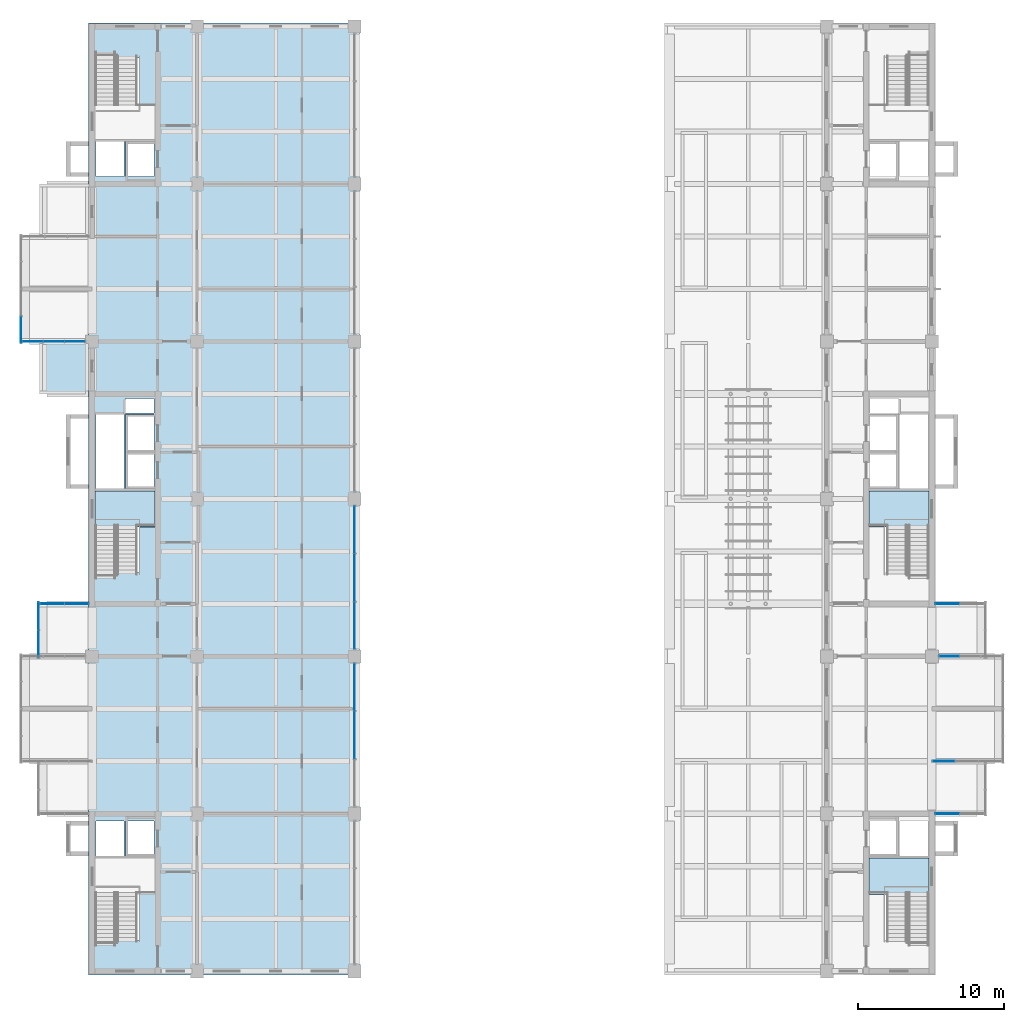
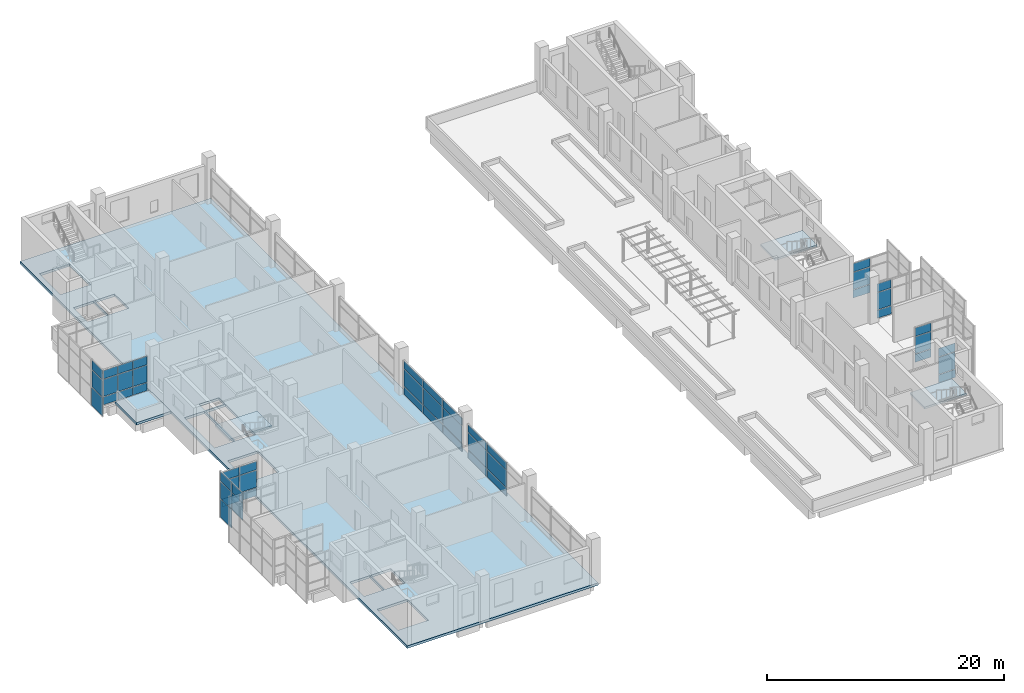
# One storey, part 19 of 32: 50 plates, 5 slabs, 13 elements without a shape of their own.
"""IFC4 building model written with IfcOpenShell, lengths in metres."""

from ifc_helpers import new_model, si_unit, direction, frame, origin, origin_2d, place, context, subcontext, project, spatial, polyline, rectangle, outline, extrude, material, layer, layer_set, type_object, element, aggregate, save


model = new_model("IFC4")

# Units and contexts
model_context = context("Model", 3, precision=1e-05, world=origin(), true_north=direction((0.0, 1.0)))
body_context = subcontext(model_context, "Body", "Model", "MODEL_VIEW")
ifc_project = project(units=[si_unit("LENGTHUNIT", "METRE"), si_unit("AREAUNIT", "SQUARE_METRE"), si_unit("VOLUMEUNIT", "CUBIC_METRE"), si_unit("PLANEANGLEUNIT", "RADIAN"), si_unit("MASSUNIT", "GRAM", prefix="KILO")], contexts=[model_context])

# Site, building, storey
site_placement = place(None, origin())
site = spatial("IfcSite", under=ifc_project, at=site_placement, CompositionType="ELEMENT")
building_placement = place(site_placement, origin())
building = spatial("IfcBuilding", under=site, at=building_placement, Name="Basin Gate Institute", CompositionType="ELEMENT")
storey_placement = place(building_placement, frame((0.0, 0.0, 41.39990234375)))
storey = spatial("IfcBuildingStorey", under=building, at=storey_placement, Name="L08", CompositionType="ELEMENT", Elevation=41.39990234375)

# Slabs
ifc_material_1 = material(Name="Concrete 40 MPa", Category="concrete")
ifc_layer_1 = layer(ifc_material_1, 0.25)
ifc_layer_set_1 = layer_set([ifc_layer_1], Name="Concrete 40 MPa")
slab_type_1 = type_object("IfcSlabType", Name="Slab RS4 R120", PredefinedType="ROOF", material=ifc_layer_set_1)
slab_1_placement = place(storey_placement, frame((0.0, 0.0, -0.25)))
element("IfcSlab", 1, at=slab_1_placement, inside=storey, type_object=slab_type_1, material=ifc_layer_set_1, Name="SLAB/L08/WK21", PredefinedType="ROOF", context=body_context, shape_type="SweptSolid", body=[
    extrude(outline(polyline([(57.60009765625, 74.699951171875), (60.949951171875, 74.699951171875), (60.949951171875, 78.300048828125), (57.60009765625, 78.300048828125), (57.60009765625, 74.699951171875)])), origin(), (0.0, 0.0, 1.0), 0.25),
])
ifc_material_2 = material(Name="Concrete 40 MPa", Category="concrete")
ifc_layer_2 = layer(ifc_material_2, 0.25)
ifc_layer_set_2 = layer_set([ifc_layer_2], Name="Concrete 40 MPa")
slab_type_2 = type_object("IfcSlabType", Name="Slab SL4 R120", PredefinedType="FLOOR", material=ifc_layer_set_2)
slab_2_placement = place(storey_placement, frame((0.0, 0.0, -0.25)))
element("IfcSlab", 2, at=slab_2_placement, inside=storey, type_object=slab_type_2, material=ifc_layer_set_2, Name="SLAB/L08/W", PredefinedType="FLOOR", context=body_context, shape_type="SweptSolid", body=[
    extrude(outline(polyline([(60.949951171875, 34.85009765625), (79.550048828125, 34.85009765625), (79.550048828125, 100.14990234375), (60.949951171875, 100.14990234375), (60.949951171875, 34.85009765625)]), holes=[polyline([(61.449951171875, 37.25), (64.39990234375, 37.25), (64.39990234375, 40.7900390625), (61.449951171875, 40.7900390625), (61.449951171875, 37.25)]), polyline([(61.449951171875, 62.449951171875), (64.39990234375, 62.449951171875), (64.39990234375, 65.989990234375), (61.449951171875, 65.989990234375), (61.449951171875, 62.449951171875)]), polyline([(61.449951171875, 94.2099609375), (64.39990234375, 94.2099609375), (64.39990234375, 97.75), (61.449951171875, 97.75), (61.449951171875, 94.2099609375)]), polyline([(61.449951171875, 43.0), (63.39990234375, 43.0), (63.39990234375, 45.39990234375), (61.449951171875, 45.39990234375), (61.449951171875, 43.0)]), polyline([(61.449951171875, 68.199951171875), (63.39990234375, 68.199951171875), (63.39990234375, 73.300048828125), (61.449951171875, 73.300048828125), (61.449951171875, 68.199951171875)]), polyline([(63.5, 73.39990234375), (65.449951171875, 73.39990234375), (65.449951171875, 74.39990234375), (63.5, 74.39990234375), (63.5, 73.39990234375)]), polyline([(61.449951171875, 89.60009765625), (63.39990234375, 89.60009765625), (63.39990234375, 92.0), (61.449951171875, 92.0), (61.449951171875, 89.60009765625)]), polyline([(63.5, 43.0), (65.449951171875, 43.0), (65.449951171875, 45.39990234375), (63.5, 45.39990234375), (63.5, 43.0)]), polyline([(65.449951171875, 68.199951171875), (63.5, 68.199951171875), (63.5, 73.300048828125), (65.449951171875, 73.300048828125), (65.449951171875, 68.199951171875)]), polyline([(63.5, 89.60009765625), (65.449951171875, 89.60009765625), (65.449951171875, 92.0), (63.5, 92.0), (63.5, 89.60009765625)])]), origin(), (0.0, 0.0, 1.0), 0.25),
])

# Curtain wall, plates
ifc_material_3 = material(Name="Aluminium-framed glazing", Category="aluminium")
ifc_layer_3 = layer(ifc_material_3, 0.199951171875)
ifc_layer_set_3 = layer_set([ifc_layer_3], Name="Atrium curtain wall CW2")
curtain_wall_type_1 = type_object("IfcCurtainWallType", Name="Atrium curtain wall CW2", PredefinedType="NOTDEFINED", material=ifc_layer_set_3)
curtain_wall_1_placement = place(storey_placement, origin())
curtain_wall_1 = element("IfcCurtainWall", 3, at=curtain_wall_1_placement, inside=storey, type_object=curtain_wall_type_1, material=ifc_layer_set_3, Name="Atrium curtain wall W wing atrium bay 2 L08", PredefinedType="NOTDEFINED")
ifc_material_4 = material(Name="Aluminium insulated spandrel panel", Category="aluminium")
ifc_layer_4 = layer(ifc_material_4, 0.050048828125)
ifc_layer_set_4 = layer_set([ifc_layer_4], Name="Spandrel panel PN2")
plate_type_1 = type_object("IfcPlateType", Name="Spandrel panel PN2", PredefinedType="CURTAIN_PANEL", material=ifc_layer_set_4)
plate_1_placement = place(storey_placement, frame((79.199951171875, 51.300048828125, 0.06005859375), z_axis=(0.0, 0.0, 1.0), x_axis=(0.0, 1.0, 0.0)))
plate_1 = element("IfcPlate", 4, at=plate_1_placement, type_object=plate_type_1, material=ifc_layer_set_4, Name="CW2 spandrel panel 2.1", PredefinedType="CURTAIN_PANEL", context=body_context, shape_type="SweptSolid", body=[
    extrude(rectangle(XDim=3.239990234375, YDim=0.050048828125, at=origin_2d()), origin(), (0.0, 0.0, 1.0), 0.81005859375),
])
plate_2_placement = place(storey_placement, frame((79.199951171875, 51.300048828125, 2.72998046875), z_axis=(0.0, 0.0, 1.0), x_axis=(0.0, 1.0, 0.0)))
plate_2 = element("IfcPlate", 5, at=plate_2_placement, type_object=plate_type_1, material=ifc_layer_set_4, Name="CW2 spandrel panel 2.3", PredefinedType="CURTAIN_PANEL", context=body_context, shape_type="SweptSolid", body=[
    extrude(rectangle(XDim=3.239990234375, YDim=0.050048828125, at=origin_2d()), origin(), (0.0, 0.0, 1.0), 0.760009765625),
])
plate_3_placement = place(storey_placement, frame((79.199951171875, 54.5849609375, 0.06005859375), z_axis=(0.0, 0.0, 1.0), x_axis=(0.0, 1.0, 0.0)))
plate_3 = element("IfcPlate", 6, at=plate_3_placement, type_object=plate_type_1, material=ifc_layer_set_4, Name="CW2 spandrel panel 3.1", PredefinedType="CURTAIN_PANEL", context=body_context, shape_type="SweptSolid", body=[
    extrude(rectangle(XDim=3.2099609375, YDim=0.050048828125, at=origin_2d()), origin(), (0.0, 0.0, 1.0), 0.81005859375),
])
plate_4_placement = place(storey_placement, frame((79.199951171875, 54.5849609375, 2.72998046875), z_axis=(0.0, 0.0, 1.0), x_axis=(0.0, 1.0, 0.0)))
plate_4 = element("IfcPlate", 7, at=plate_4_placement, type_object=plate_type_1, material=ifc_layer_set_4, Name="CW2 spandrel panel 3.3", PredefinedType="CURTAIN_PANEL", context=body_context, shape_type="SweptSolid", body=[
    extrude(rectangle(XDim=3.2099609375, YDim=0.050048828125, at=origin_2d()), origin(), (0.0, 0.0, 1.0), 0.760009765625),
])

curtain_wall_2_placement = place(storey_placement, origin())
curtain_wall_2 = element("IfcCurtainWall", 8, at=curtain_wall_2_placement, inside=storey, type_object=curtain_wall_type_1, material=ifc_layer_set_3, Name="Atrium curtain wall W wing atrium bay 3 L08", PredefinedType="NOTDEFINED")
plate_5_placement = place(storey_placement, frame((79.199951171875, 58.81494140625, 0.06005859375), z_axis=(0.0, 0.0, 1.0), x_axis=(0.0, 1.0, 0.0)))
plate_5 = element("IfcPlate", 9, at=plate_5_placement, type_object=plate_type_1, material=ifc_layer_set_4, Name="CW2 spandrel panel 1.1", PredefinedType="CURTAIN_PANEL", context=body_context, shape_type="SweptSolid", body=[
    extrude(rectangle(XDim=3.2099609375, YDim=0.050048828125, at=origin_2d()), origin(), (0.0, 0.0, 1.0), 0.81005859375),
])
plate_6_placement = place(storey_placement, frame((79.199951171875, 58.81494140625, 2.72998046875), z_axis=(0.0, 0.0, 1.0), x_axis=(0.0, 1.0, 0.0)))
plate_6 = element("IfcPlate", 10, at=plate_6_placement, type_object=plate_type_1, material=ifc_layer_set_4, Name="CW2 spandrel panel 1.3", PredefinedType="CURTAIN_PANEL", context=body_context, shape_type="SweptSolid", body=[
    extrude(rectangle(XDim=3.2099609375, YDim=0.050048828125, at=origin_2d()), origin(), (0.0, 0.0, 1.0), 0.760009765625),
])
plate_7_placement = place(storey_placement, frame((79.199951171875, 62.10009765625, 0.06005859375), z_axis=(0.0, 0.0, 1.0), x_axis=(0.0, 1.0, 0.0)))
plate_7 = element("IfcPlate", 11, at=plate_7_placement, type_object=plate_type_1, material=ifc_layer_set_4, Name="CW2 spandrel panel 2.1", PredefinedType="CURTAIN_PANEL", context=body_context, shape_type="SweptSolid", body=[
    extrude(rectangle(XDim=3.239990234375, YDim=0.050048828125, at=origin_2d()), origin(), (0.0, 0.0, 1.0), 0.81005859375),
])
plate_8_placement = place(storey_placement, frame((79.199951171875, 62.10009765625, 2.72998046875), z_axis=(0.0, 0.0, 1.0), x_axis=(0.0, 1.0, 0.0)))
plate_8 = element("IfcPlate", 12, at=plate_8_placement, type_object=plate_type_1, material=ifc_layer_set_4, Name="CW2 spandrel panel 2.3", PredefinedType="CURTAIN_PANEL", context=body_context, shape_type="SweptSolid", body=[
    extrude(rectangle(XDim=3.239990234375, YDim=0.050048828125, at=origin_2d()), origin(), (0.0, 0.0, 1.0), 0.760009765625),
])
plate_9_placement = place(storey_placement, frame((79.199951171875, 65.385009765625, 0.06005859375), z_axis=(0.0, 0.0, 1.0), x_axis=(0.0, 1.0, 0.0)))
plate_9 = element("IfcPlate", 13, at=plate_9_placement, type_object=plate_type_1, material=ifc_layer_set_4, Name="CW2 spandrel panel 3.1", PredefinedType="CURTAIN_PANEL", context=body_context, shape_type="SweptSolid", body=[
    extrude(rectangle(XDim=3.2099609375, YDim=0.050048828125, at=origin_2d()), origin(), (0.0, 0.0, 1.0), 0.81005859375),
])
plate_10_placement = place(storey_placement, frame((79.199951171875, 65.385009765625, 2.72998046875), z_axis=(0.0, 0.0, 1.0), x_axis=(0.0, 1.0, 0.0)))
plate_10 = element("IfcPlate", 14, at=plate_10_placement, type_object=plate_type_1, material=ifc_layer_set_4, Name="CW2 spandrel panel 3.3", PredefinedType="CURTAIN_PANEL", context=body_context, shape_type="SweptSolid", body=[
    extrude(rectangle(XDim=3.2099609375, YDim=0.050048828125, at=origin_2d()), origin(), (0.0, 0.0, 1.0), 0.760009765625),
])

ifc_material_5 = material(Name="Aluminium-framed glazing", Category="aluminium")
ifc_layer_5 = layer(ifc_material_5, 0.14990234375)
ifc_layer_set_5 = layer_set([ifc_layer_5], Name="Capsule front curtain wall CW1")
curtain_wall_type_2 = type_object("IfcCurtainWallType", Name="Capsule front curtain wall CW1", PredefinedType="NOTDEFINED", material=ifc_layer_set_5)
curtain_wall_3_placement = place(storey_placement, origin())
curtain_wall_3 = element("IfcCurtainWall", 15, at=curtain_wall_3_placement, inside=storey, type_object=curtain_wall_type_2, material=ifc_layer_set_5, Name="Capsule front curtain wall W wing capsule end L08 line 8", PredefinedType="NOTDEFINED")
plate_11_placement = place(storey_placement, frame((58.46240234375, 60.300048828125, 0.06005859375), z_axis=(0.0, 0.0, 1.0), x_axis=(1.0, 0.0, 0.0)))
plate_11 = element("IfcPlate", 16, at=plate_11_placement, type_object=plate_type_1, material=ifc_layer_set_4, Name="CW1 spandrel panel 1.1", PredefinedType="CURTAIN_PANEL", context=body_context, shape_type="SweptSolid", body=[
    extrude(rectangle(XDim=1.625, YDim=0.050048828125, at=origin_2d()), origin(), (0.0, 0.0, 1.0), 0.81005859375),
])
plate_12_placement = place(storey_placement, frame((60.137451171875, 60.300048828125, 0.06005859375), z_axis=(0.0, 0.0, 1.0), x_axis=(1.0, 0.0, 0.0)))
plate_12 = element("IfcPlate", 17, at=plate_12_placement, type_object=plate_type_1, material=ifc_layer_set_4, Name="CW1 spandrel panel 2.1", PredefinedType="CURTAIN_PANEL", context=body_context, shape_type="SweptSolid", body=[
    extrude(rectangle(XDim=1.625, YDim=0.050048828125, at=origin_2d()), origin(), (0.0, 0.0, 1.0), 0.81005859375),
])

curtain_wall_4_placement = place(storey_placement, origin())
curtain_wall_4 = element("IfcCurtainWall", 18, at=curtain_wall_4_placement, inside=storey, type_object=curtain_wall_type_2, material=ifc_layer_set_5, Name="Capsule front curtain wall W wing capsule end L08 line 13", PredefinedType="NOTDEFINED")
plate_13_placement = place(storey_placement, frame((57.137451171875, 78.300048828125, 0.06005859375), z_axis=(0.0, 0.0, 1.0), x_axis=(1.0, 0.0, 0.0)))
plate_13 = element("IfcPlate", 19, at=plate_13_placement, type_object=plate_type_1, material=ifc_layer_set_4, Name="CW1 spandrel panel 1.1", PredefinedType="CURTAIN_PANEL", context=body_context, shape_type="SweptSolid", body=[
    extrude(rectangle(XDim=1.375, YDim=0.050048828125, at=origin_2d()), origin(), (0.0, 0.0, 1.0), 0.81005859375),
])
plate_14_placement = place(storey_placement, frame((58.574951171875, 78.300048828125, 0.06005859375), z_axis=(0.0, 0.0, 1.0), x_axis=(1.0, 0.0, 0.0)))
plate_14 = element("IfcPlate", 20, at=plate_14_placement, type_object=plate_type_1, material=ifc_layer_set_4, Name="CW1 spandrel panel 2.1", PredefinedType="CURTAIN_PANEL", context=body_context, shape_type="SweptSolid", body=[
    extrude(rectangle(XDim=1.39990234375, YDim=0.050048828125, at=origin_2d()), origin(), (0.0, 0.0, 1.0), 0.81005859375),
])
plate_15_placement = place(storey_placement, frame((60.012451171875, 78.300048828125, 0.06005859375), z_axis=(0.0, 0.0, 1.0), x_axis=(1.0, 0.0, 0.0)))
plate_15 = element("IfcPlate", 21, at=plate_15_placement, type_object=plate_type_1, material=ifc_layer_set_4, Name="CW1 spandrel panel 3.1", PredefinedType="CURTAIN_PANEL", context=body_context, shape_type="SweptSolid", body=[
    extrude(rectangle(XDim=1.375, YDim=0.050048828125, at=origin_2d()), origin(), (0.0, 0.0, 1.0), 0.81005859375),
])

# Curtain wall, plate
curtain_wall_5_placement = place(storey_placement, origin())
curtain_wall_5 = element("IfcCurtainWall", 22, at=curtain_wall_5_placement, inside=storey, type_object=curtain_wall_type_2, material=ifc_layer_set_5, Name="Capsule front curtain wall W wing capsule 1 L08 front 4", PredefinedType="NOTDEFINED")
plate_16_placement = place(storey_placement, frame((57.52490234375, 59.46240234375, -0.98974609375), z_axis=(0.0, 0.0, 1.0), x_axis=(0.0, 1.0, 0.0)))
plate_16 = element("IfcPlate", 23, at=plate_16_placement, type_object=plate_type_1, material=ifc_layer_set_4, Name="CW1 spandrel panel 2.1", PredefinedType="CURTAIN_PANEL", context=body_context, shape_type="SweptSolid", body=[
    extrude(rectangle(XDim=1.875, YDim=0.050048828125, at=origin_2d()), origin(), (0.0, 0.0, 1.0), 1.860107421875),
])

curtain_wall_6_placement = place(storey_placement, origin())
curtain_wall_6 = element("IfcCurtainWall", 24, at=curtain_wall_6_placement, inside=storey, type_object=curtain_wall_type_2, material=ifc_layer_set_5, Name="Capsule front curtain wall W wing capsule 2 L08 front 2", PredefinedType="NOTDEFINED")
plate_17_placement = place(storey_placement, frame((56.324951171875, 79.10009765625, -0.98974609375), z_axis=(0.0, 0.0, 1.0), x_axis=(0.0, 1.0, 0.0)))
plate_17 = element("IfcPlate", 25, at=plate_17_placement, type_object=plate_type_1, material=ifc_layer_set_4, Name="CW1 spandrel panel 1.1", PredefinedType="CURTAIN_PANEL", context=body_context, shape_type="SweptSolid", body=[
    extrude(rectangle(XDim=1.800048828125, YDim=0.050048828125, at=origin_2d()), origin(), (0.0, 0.0, 1.0), 1.860107421875),
])

curtain_wall_7_placement = place(storey_placement, origin())
curtain_wall_7 = element("IfcCurtainWall", 26, at=curtain_wall_7_placement, inside=storey, type_object=curtain_wall_type_2, material=ifc_layer_set_5, Name="Capsule front curtain wall E wing capsule end L08 line 4", PredefinedType="NOTDEFINED")
plate_18_placement = place(storey_placement, frame((119.862548828125, 45.89990234375, 0.06005859375), z_axis=(0.0, 0.0, 1.0), x_axis=(-1.0, 0.0, 0.0)))
plate_18 = element("IfcPlate", 27, at=plate_18_placement, type_object=plate_type_1, material=ifc_layer_set_4, Name="CW1 spandrel panel 2.1", PredefinedType="CURTAIN_PANEL", context=body_context, shape_type="SweptSolid", body=[
    extrude(rectangle(XDim=1.625, YDim=0.050048828125, at=origin_2d()), origin(), (0.0, 0.0, 1.0), 0.81005859375),
])

curtain_wall_8_placement = place(storey_placement, origin())
curtain_wall_8 = element("IfcCurtainWall", 28, at=curtain_wall_8_placement, inside=storey, type_object=curtain_wall_type_2, material=ifc_layer_set_5, Name="Capsule front curtain wall E wing capsule end L08 line 5", PredefinedType="NOTDEFINED")
plate_19_placement = place(storey_placement, frame((119.612548828125, 49.5, 0.06005859375), z_axis=(0.0, 0.0, 1.0), x_axis=(-1.0, 0.0, 0.0)))
plate_19 = element("IfcPlate", 29, at=plate_19_placement, type_object=plate_type_1, material=ifc_layer_set_4, Name="CW1 spandrel panel 3.1", PredefinedType="CURTAIN_PANEL", context=body_context, shape_type="SweptSolid", body=[
    extrude(rectangle(XDim=1.52490234375, YDim=0.050048828125, at=origin_2d()), origin(), (0.0, 0.0, 1.0), 0.81005859375),
])

curtain_wall_9_placement = place(storey_placement, origin())
curtain_wall_9 = element("IfcCurtainWall", 30, at=curtain_wall_9_placement, inside=storey, type_object=curtain_wall_type_2, material=ifc_layer_set_5, Name="Capsule front curtain wall E wing capsule end L08 line 7", PredefinedType="NOTDEFINED")
plate_20_placement = place(storey_placement, frame((119.987548828125, 56.699951171875, 0.06005859375), z_axis=(0.0, 0.0, 1.0), x_axis=(-1.0, 0.0, 0.0)))
plate_20 = element("IfcPlate", 31, at=plate_20_placement, type_object=plate_type_1, material=ifc_layer_set_4, Name="CW1 spandrel panel 3.1", PredefinedType="CURTAIN_PANEL", context=body_context, shape_type="SweptSolid", body=[
    extrude(rectangle(XDim=1.375, YDim=0.050048828125, at=origin_2d()), origin(), (0.0, 0.0, 1.0), 0.81005859375),
])

curtain_wall_10_placement = place(storey_placement, origin())
curtain_wall_10 = element("IfcCurtainWall", 32, at=curtain_wall_10_placement, inside=storey, type_object=curtain_wall_type_2, material=ifc_layer_set_5, Name="Capsule front curtain wall E wing capsule end L08 line 8", PredefinedType="NOTDEFINED")
plate_21_placement = place(storey_placement, frame((119.862548828125, 60.300048828125, 0.06005859375), z_axis=(0.0, 0.0, 1.0), x_axis=(-1.0, 0.0, 0.0)))
plate_21 = element("IfcPlate", 33, at=plate_21_placement, type_object=plate_type_1, material=ifc_layer_set_4, Name="CW1 spandrel panel 2.1", PredefinedType="CURTAIN_PANEL", context=body_context, shape_type="SweptSolid", body=[
    extrude(rectangle(XDim=1.625, YDim=0.050048828125, at=origin_2d()), origin(), (0.0, 0.0, 1.0), 0.81005859375),
])

# Stair, slab
ifc_material_6 = material(Name="Concrete 40 MPa", Category="concrete")
stair_type = type_object("IfcStairType", Name="Stair ST", PredefinedType="HALF_TURN_STAIR", material=ifc_material_6)
stair_1_placement = place(storey_placement, origin())
stair_1 = element("IfcStair", 34, at=stair_1_placement, inside=storey, type_object=stair_type, material=ifc_material_6, Name="Special safe stair ST-WM L08", PredefinedType="HALF_TURN_STAIR")
ifc_material_7 = material(Name="Concrete 40 MPa", Category="concrete")
ifc_layer_6 = layer(ifc_material_7, 0.199951171875)
ifc_layer_set_6 = layer_set([ifc_layer_6], Name="Concrete 40 MPa")
slab_type_3 = type_object("IfcSlabType", Name="Stair landing LN REI 120", PredefinedType="LANDING", material=ifc_layer_set_6)
slab_3_placement = place(storey_placement, frame((0.0, 0.0, 2.2890625)))
slab_3 = element("IfcSlab", 35, at=slab_3_placement, type_object=slab_type_3, material=ifc_layer_set_6, Name="Stair landing ST-WM-L1 L08", PredefinedType="LANDING", context=body_context, shape_type="SweptSolid", body=[
    extrude(outline(polyline([(61.39990234375, 65.570068359375), (65.5, 65.570068359375), (65.5, 68.050048828125), (61.39990234375, 68.050048828125), (61.39990234375, 65.570068359375)])), origin(), (0.0, 0.0, 1.0), 0.199951171875),
])
aggregate(stair_1, [slab_3])

stair_2_placement = place(storey_placement, origin())
stair_2 = element("IfcStair", 36, at=stair_2_placement, inside=storey, type_object=stair_type, material=ifc_material_6, Name="Special safe stair ST-ES L08", PredefinedType="HALF_TURN_STAIR")
slab_4_placement = place(storey_placement, frame((0.0, 0.0, 2.2890625)))
slab_4 = element("IfcSlab", 37, at=slab_4_placement, type_object=slab_type_3, material=ifc_layer_set_6, Name="Stair landing ST-ES-L1 L08", PredefinedType="LANDING", context=body_context, shape_type="SweptSolid", body=[
    extrude(outline(polyline([(118.60009765625, 42.85009765625), (114.5, 42.85009765625), (114.5, 40.3701171875), (118.60009765625, 40.3701171875), (118.60009765625, 42.85009765625)])), origin(), (0.0, 0.0, 1.0), 0.199951171875),
])
aggregate(stair_2, [slab_4])

stair_3_placement = place(storey_placement, origin())
stair_3 = element("IfcStair", 38, at=stair_3_placement, inside=storey, type_object=stair_type, material=ifc_material_6, Name="Special safe stair ST-EM L08", PredefinedType="HALF_TURN_STAIR")
slab_5_placement = place(storey_placement, frame((0.0, 0.0, 2.2890625)))
slab_5 = element("IfcSlab", 39, at=slab_5_placement, type_object=slab_type_3, material=ifc_layer_set_6, Name="Stair landing ST-EM-L1 L08", PredefinedType="LANDING", context=body_context, shape_type="SweptSolid", body=[
    extrude(outline(polyline([(118.60009765625, 68.050048828125), (114.5, 68.050048828125), (114.5, 65.570068359375), (118.60009765625, 65.570068359375), (118.60009765625, 68.050048828125)])), origin(), (0.0, 0.0, 1.0), 0.199951171875),
])
aggregate(stair_3, [slab_5])

# Plate
ifc_material_8 = material(Name="Double glazed unit")
ifc_layer_7 = layer(ifc_material_8, 0.028076171875)
ifc_layer_set_7 = layer_set([ifc_layer_7], Name="Vision panel PN1")
plate_type_2 = type_object("IfcPlateType", Name="Vision panel PN1", PredefinedType="CURTAIN_PANEL", material=ifc_layer_set_7)
plate_22_placement = place(storey_placement, frame((79.199951171875, 51.300048828125, 0.93017578125), z_axis=(0.0, 0.0, 1.0), x_axis=(0.0, 1.0, 0.0)))
plate_22 = element("IfcPlate", 40, at=plate_22_placement, type_object=plate_type_2, material=ifc_layer_set_7, Name="CW2 vision panel 2.2", PredefinedType="CURTAIN_PANEL", context=body_context, shape_type="SweptSolid", body=[
    extrude(rectangle(XDim=3.239990234375, YDim=0.028076171875, at=origin_2d()), origin(), (0.0, 0.0, 1.0), 1.739990234375),
])

plate_23_placement = place(storey_placement, frame((79.199951171875, 54.5849609375, 0.93017578125), z_axis=(0.0, 0.0, 1.0), x_axis=(0.0, 1.0, 0.0)))
plate_23 = element("IfcPlate", 41, at=plate_23_placement, type_object=plate_type_2, material=ifc_layer_set_7, Name="CW2 vision panel 3.2", PredefinedType="CURTAIN_PANEL", context=body_context, shape_type="SweptSolid", body=[
    extrude(rectangle(XDim=3.2099609375, YDim=0.028076171875, at=origin_2d()), origin(), (0.0, 0.0, 1.0), 1.739990234375),
])

aggregate(curtain_wall_1, [plate_1, plate_22, plate_2, plate_3, plate_23, plate_4])

plate_24_placement = place(storey_placement, frame((79.199951171875, 58.81494140625, 0.93017578125), z_axis=(0.0, 0.0, 1.0), x_axis=(0.0, 1.0, 0.0)))
plate_24 = element("IfcPlate", 42, at=plate_24_placement, type_object=plate_type_2, material=ifc_layer_set_7, Name="CW2 vision panel 1.2", PredefinedType="CURTAIN_PANEL", context=body_context, shape_type="SweptSolid", body=[
    extrude(rectangle(XDim=3.2099609375, YDim=0.028076171875, at=origin_2d()), origin(), (0.0, 0.0, 1.0), 1.739990234375),
])

plate_25_placement = place(storey_placement, frame((79.199951171875, 62.10009765625, 0.93017578125), z_axis=(0.0, 0.0, 1.0), x_axis=(0.0, 1.0, 0.0)))
plate_25 = element("IfcPlate", 43, at=plate_25_placement, type_object=plate_type_2, material=ifc_layer_set_7, Name="CW2 vision panel 2.2", PredefinedType="CURTAIN_PANEL", context=body_context, shape_type="SweptSolid", body=[
    extrude(rectangle(XDim=3.239990234375, YDim=0.028076171875, at=origin_2d()), origin(), (0.0, 0.0, 1.0), 1.739990234375),
])

plate_26_placement = place(storey_placement, frame((79.199951171875, 65.385009765625, 0.93017578125), z_axis=(0.0, 0.0, 1.0), x_axis=(0.0, 1.0, 0.0)))
plate_26 = element("IfcPlate", 44, at=plate_26_placement, type_object=plate_type_2, material=ifc_layer_set_7, Name="CW2 vision panel 3.2", PredefinedType="CURTAIN_PANEL", context=body_context, shape_type="SweptSolid", body=[
    extrude(rectangle(XDim=3.2099609375, YDim=0.028076171875, at=origin_2d()), origin(), (0.0, 0.0, 1.0), 1.739990234375),
])

aggregate(curtain_wall_2, [plate_5, plate_24, plate_6, plate_7, plate_25, plate_8, plate_9, plate_26, plate_10])

plate_27_placement = place(storey_placement, frame((58.46240234375, 60.300048828125, 0.93017578125), z_axis=(0.0, 0.0, 1.0), x_axis=(1.0, 0.0, 0.0)))
plate_27 = element("IfcPlate", 45, at=plate_27_placement, type_object=plate_type_2, material=ifc_layer_set_7, Name="CW1 vision panel 1.2", PredefinedType="CURTAIN_PANEL", context=body_context, shape_type="SweptSolid", body=[
    extrude(rectangle(XDim=1.625, YDim=0.028076171875, at=origin_2d()), origin(), (0.0, 0.0, 1.0), 1.739990234375),
])

plate_28_placement = place(storey_placement, frame((58.46240234375, 60.300048828125, 2.72998046875), z_axis=(0.0, 0.0, 1.0), x_axis=(1.0, 0.0, 0.0)))
plate_28 = element("IfcPlate", 46, at=plate_28_placement, type_object=plate_type_2, material=ifc_layer_set_7, Name="CW1 vision panel 1.3", PredefinedType="CURTAIN_PANEL", context=body_context, shape_type="SweptSolid", body=[
    extrude(rectangle(XDim=1.625, YDim=0.028076171875, at=origin_2d()), origin(), (0.0, 0.0, 1.0), 0.860107421875),
])

plate_29_placement = place(storey_placement, frame((60.137451171875, 60.300048828125, 0.93017578125), z_axis=(0.0, 0.0, 1.0), x_axis=(1.0, 0.0, 0.0)))
plate_29 = element("IfcPlate", 47, at=plate_29_placement, type_object=plate_type_2, material=ifc_layer_set_7, Name="CW1 vision panel 2.2", PredefinedType="CURTAIN_PANEL", context=body_context, shape_type="SweptSolid", body=[
    extrude(rectangle(XDim=1.625, YDim=0.028076171875, at=origin_2d()), origin(), (0.0, 0.0, 1.0), 1.739990234375),
])

plate_30_placement = place(storey_placement, frame((60.137451171875, 60.300048828125, 2.72998046875), z_axis=(0.0, 0.0, 1.0), x_axis=(1.0, 0.0, 0.0)))
plate_30 = element("IfcPlate", 48, at=plate_30_placement, type_object=plate_type_2, material=ifc_layer_set_7, Name="CW1 vision panel 2.3", PredefinedType="CURTAIN_PANEL", context=body_context, shape_type="SweptSolid", body=[
    extrude(rectangle(XDim=1.625, YDim=0.028076171875, at=origin_2d()), origin(), (0.0, 0.0, 1.0), 0.860107421875),
])

aggregate(curtain_wall_3, [plate_11, plate_27, plate_28, plate_12, plate_29, plate_30])

plate_31_placement = place(storey_placement, frame((57.137451171875, 78.300048828125, 0.93017578125), z_axis=(0.0, 0.0, 1.0), x_axis=(1.0, 0.0, 0.0)))
plate_31 = element("IfcPlate", 49, at=plate_31_placement, type_object=plate_type_2, material=ifc_layer_set_7, Name="CW1 vision panel 1.2", PredefinedType="CURTAIN_PANEL", context=body_context, shape_type="SweptSolid", body=[
    extrude(rectangle(XDim=1.375, YDim=0.028076171875, at=origin_2d()), origin(), (0.0, 0.0, 1.0), 1.739990234375),
])

plate_32_placement = place(storey_placement, frame((57.137451171875, 78.300048828125, 2.72998046875), z_axis=(0.0, 0.0, 1.0), x_axis=(1.0, 0.0, 0.0)))
plate_32 = element("IfcPlate", 50, at=plate_32_placement, type_object=plate_type_2, material=ifc_layer_set_7, Name="CW1 vision panel 1.3", PredefinedType="CURTAIN_PANEL", context=body_context, shape_type="SweptSolid", body=[
    extrude(rectangle(XDim=1.375, YDim=0.028076171875, at=origin_2d()), origin(), (0.0, 0.0, 1.0), 0.860107421875),
])

plate_33_placement = place(storey_placement, frame((58.574951171875, 78.300048828125, 0.93017578125), z_axis=(0.0, 0.0, 1.0), x_axis=(1.0, 0.0, 0.0)))
plate_33 = element("IfcPlate", 51, at=plate_33_placement, type_object=plate_type_2, material=ifc_layer_set_7, Name="CW1 vision panel 2.2", PredefinedType="CURTAIN_PANEL", context=body_context, shape_type="SweptSolid", body=[
    extrude(rectangle(XDim=1.39990234375, YDim=0.028076171875, at=origin_2d()), origin(), (0.0, 0.0, 1.0), 1.739990234375),
])

plate_34_placement = place(storey_placement, frame((58.574951171875, 78.300048828125, 2.72998046875), z_axis=(0.0, 0.0, 1.0), x_axis=(1.0, 0.0, 0.0)))
plate_34 = element("IfcPlate", 52, at=plate_34_placement, type_object=plate_type_2, material=ifc_layer_set_7, Name="CW1 vision panel 2.3", PredefinedType="CURTAIN_PANEL", context=body_context, shape_type="SweptSolid", body=[
    extrude(rectangle(XDim=1.39990234375, YDim=0.028076171875, at=origin_2d()), origin(), (0.0, 0.0, 1.0), 0.860107421875),
])

plate_35_placement = place(storey_placement, frame((60.012451171875, 78.300048828125, 0.93017578125), z_axis=(0.0, 0.0, 1.0), x_axis=(1.0, 0.0, 0.0)))
plate_35 = element("IfcPlate", 53, at=plate_35_placement, type_object=plate_type_2, material=ifc_layer_set_7, Name="CW1 vision panel 3.2", PredefinedType="CURTAIN_PANEL", context=body_context, shape_type="SweptSolid", body=[
    extrude(rectangle(XDim=1.375, YDim=0.028076171875, at=origin_2d()), origin(), (0.0, 0.0, 1.0), 1.739990234375),
])

plate_36_placement = place(storey_placement, frame((60.012451171875, 78.300048828125, 2.72998046875), z_axis=(0.0, 0.0, 1.0), x_axis=(1.0, 0.0, 0.0)))
plate_36 = element("IfcPlate", 54, at=plate_36_placement, type_object=plate_type_2, material=ifc_layer_set_7, Name="CW1 vision panel 3.3", PredefinedType="CURTAIN_PANEL", context=body_context, shape_type="SweptSolid", body=[
    extrude(rectangle(XDim=1.375, YDim=0.028076171875, at=origin_2d()), origin(), (0.0, 0.0, 1.0), 0.860107421875),
])

aggregate(curtain_wall_4, [plate_13, plate_31, plate_32, plate_14, plate_33, plate_34, plate_15, plate_35, plate_36])

plate_37_placement = place(storey_placement, frame((57.52490234375, 57.53759765625, 0.93017578125), z_axis=(0.0, 0.0, 1.0), x_axis=(0.0, 1.0, 0.0)))
plate_37 = element("IfcPlate", 55, at=plate_37_placement, type_object=plate_type_2, material=ifc_layer_set_7, Name="CW1 vision panel 1.2", PredefinedType="CURTAIN_PANEL", context=body_context, shape_type="SweptSolid", body=[
    extrude(rectangle(XDim=1.875, YDim=0.028076171875, at=origin_2d()), origin(), (0.0, 0.0, 1.0), 1.739990234375),
])

plate_38_placement = place(storey_placement, frame((57.52490234375, 57.53759765625, 2.730224609375), z_axis=(0.0, 0.0, 1.0), x_axis=(0.0, 1.0, 0.0)))
plate_38 = element("IfcPlate", 56, at=plate_38_placement, type_object=plate_type_2, material=ifc_layer_set_7, Name="CW1 vision panel 1.3", PredefinedType="CURTAIN_PANEL", context=body_context, shape_type="SweptSolid", body=[
    extrude(rectangle(XDim=1.875, YDim=0.028076171875, at=origin_2d()), origin(), (0.0, 0.0, 1.0), 0.9599609375),
])

plate_39_placement = place(storey_placement, frame((57.52490234375, 59.46240234375, 0.93017578125), z_axis=(0.0, 0.0, 1.0), x_axis=(0.0, 1.0, 0.0)))
plate_39 = element("IfcPlate", 57, at=plate_39_placement, type_object=plate_type_2, material=ifc_layer_set_7, Name="CW1 vision panel 2.2", PredefinedType="CURTAIN_PANEL", context=body_context, shape_type="SweptSolid", body=[
    extrude(rectangle(XDim=1.875, YDim=0.028076171875, at=origin_2d()), origin(), (0.0, 0.0, 1.0), 1.739990234375),
])

plate_40_placement = place(storey_placement, frame((57.52490234375, 59.46240234375, 2.730224609375), z_axis=(0.0, 0.0, 1.0), x_axis=(0.0, 1.0, 0.0)))
plate_40 = element("IfcPlate", 58, at=plate_40_placement, type_object=plate_type_2, material=ifc_layer_set_7, Name="CW1 vision panel 2.3", PredefinedType="CURTAIN_PANEL", context=body_context, shape_type="SweptSolid", body=[
    extrude(rectangle(XDim=1.875, YDim=0.028076171875, at=origin_2d()), origin(), (0.0, 0.0, 1.0), 0.9599609375),
])

aggregate(curtain_wall_5, [plate_37, plate_38, plate_16, plate_39, plate_40])

plate_41_placement = place(storey_placement, frame((56.324951171875, 79.10009765625, 0.93017578125), z_axis=(0.0, 0.0, 1.0), x_axis=(0.0, 1.0, 0.0)))
plate_41 = element("IfcPlate", 59, at=plate_41_placement, type_object=plate_type_2, material=ifc_layer_set_7, Name="CW1 vision panel 1.2", PredefinedType="CURTAIN_PANEL", context=body_context, shape_type="SweptSolid", body=[
    extrude(rectangle(XDim=1.800048828125, YDim=0.028076171875, at=origin_2d()), origin(), (0.0, 0.0, 1.0), 1.739990234375),
])

plate_42_placement = place(storey_placement, frame((56.324951171875, 79.10009765625, 2.730224609375), z_axis=(0.0, 0.0, 1.0), x_axis=(0.0, 1.0, 0.0)))
plate_42 = element("IfcPlate", 60, at=plate_42_placement, type_object=plate_type_2, material=ifc_layer_set_7, Name="CW1 vision panel 1.3", PredefinedType="CURTAIN_PANEL", context=body_context, shape_type="SweptSolid", body=[
    extrude(rectangle(XDim=1.800048828125, YDim=0.028076171875, at=origin_2d()), origin(), (0.0, 0.0, 1.0), 0.9599609375),
])

aggregate(curtain_wall_6, [plate_17, plate_41, plate_42])

plate_43_placement = place(storey_placement, frame((119.862548828125, 45.89990234375, 0.93017578125), z_axis=(0.0, 0.0, 1.0), x_axis=(-1.0, 0.0, 0.0)))
plate_43 = element("IfcPlate", 61, at=plate_43_placement, type_object=plate_type_2, material=ifc_layer_set_7, Name="CW1 vision panel 2.2", PredefinedType="CURTAIN_PANEL", context=body_context, shape_type="SweptSolid", body=[
    extrude(rectangle(XDim=1.625, YDim=0.028076171875, at=origin_2d()), origin(), (0.0, 0.0, 1.0), 1.739990234375),
])

plate_44_placement = place(storey_placement, frame((119.862548828125, 45.89990234375, 2.72998046875), z_axis=(0.0, 0.0, 1.0), x_axis=(-1.0, 0.0, 0.0)))
plate_44 = element("IfcPlate", 62, at=plate_44_placement, type_object=plate_type_2, material=ifc_layer_set_7, Name="CW1 vision panel 2.3", PredefinedType="CURTAIN_PANEL", context=body_context, shape_type="SweptSolid", body=[
    extrude(rectangle(XDim=1.625, YDim=0.028076171875, at=origin_2d()), origin(), (0.0, 0.0, 1.0), 0.860107421875),
])

aggregate(curtain_wall_7, [plate_18, plate_43, plate_44])

plate_45_placement = place(storey_placement, frame((119.612548828125, 49.5, 0.93017578125), z_axis=(0.0, 0.0, 1.0), x_axis=(-1.0, 0.0, 0.0)))
plate_45 = element("IfcPlate", 63, at=plate_45_placement, type_object=plate_type_2, material=ifc_layer_set_7, Name="CW1 vision panel 3.2", PredefinedType="CURTAIN_PANEL", context=body_context, shape_type="SweptSolid", body=[
    extrude(rectangle(XDim=1.52490234375, YDim=0.028076171875, at=origin_2d()), origin(), (0.0, 0.0, 1.0), 1.739990234375),
])

plate_46_placement = place(storey_placement, frame((119.612548828125, 49.5, 2.72998046875), z_axis=(0.0, 0.0, 1.0), x_axis=(-1.0, 0.0, 0.0)))
plate_46 = element("IfcPlate", 64, at=plate_46_placement, type_object=plate_type_2, material=ifc_layer_set_7, Name="CW1 vision panel 3.3", PredefinedType="CURTAIN_PANEL", context=body_context, shape_type="SweptSolid", body=[
    extrude(rectangle(XDim=1.52490234375, YDim=0.028076171875, at=origin_2d()), origin(), (0.0, 0.0, 1.0), 0.860107421875),
])

aggregate(curtain_wall_8, [plate_19, plate_45, plate_46])

plate_47_placement = place(storey_placement, frame((119.987548828125, 56.699951171875, 0.93017578125), z_axis=(0.0, 0.0, 1.0), x_axis=(-1.0, 0.0, 0.0)))
plate_47 = element("IfcPlate", 65, at=plate_47_placement, type_object=plate_type_2, material=ifc_layer_set_7, Name="CW1 vision panel 3.2", PredefinedType="CURTAIN_PANEL", context=body_context, shape_type="SweptSolid", body=[
    extrude(rectangle(XDim=1.375, YDim=0.028076171875, at=origin_2d()), origin(), (0.0, 0.0, 1.0), 1.739990234375),
])

plate_48_placement = place(storey_placement, frame((119.987548828125, 56.699951171875, 2.72998046875), z_axis=(0.0, 0.0, 1.0), x_axis=(-1.0, 0.0, 0.0)))
plate_48 = element("IfcPlate", 66, at=plate_48_placement, type_object=plate_type_2, material=ifc_layer_set_7, Name="CW1 vision panel 3.3", PredefinedType="CURTAIN_PANEL", context=body_context, shape_type="SweptSolid", body=[
    extrude(rectangle(XDim=1.375, YDim=0.028076171875, at=origin_2d()), origin(), (0.0, 0.0, 1.0), 0.860107421875),
])

aggregate(curtain_wall_9, [plate_20, plate_47, plate_48])

plate_49_placement = place(storey_placement, frame((119.862548828125, 60.300048828125, 0.93017578125), z_axis=(0.0, 0.0, 1.0), x_axis=(-1.0, 0.0, 0.0)))
plate_49 = element("IfcPlate", 67, at=plate_49_placement, type_object=plate_type_2, material=ifc_layer_set_7, Name="CW1 vision panel 2.2", PredefinedType="CURTAIN_PANEL", context=body_context, shape_type="SweptSolid", body=[
    extrude(rectangle(XDim=1.625, YDim=0.028076171875, at=origin_2d()), origin(), (0.0, 0.0, 1.0), 1.739990234375),
])

plate_50_placement = place(storey_placement, frame((119.862548828125, 60.300048828125, 2.72998046875), z_axis=(0.0, 0.0, 1.0), x_axis=(-1.0, 0.0, 0.0)))
plate_50 = element("IfcPlate", 68, at=plate_50_placement, type_object=plate_type_2, material=ifc_layer_set_7, Name="CW1 vision panel 2.3", PredefinedType="CURTAIN_PANEL", context=body_context, shape_type="SweptSolid", body=[
    extrude(rectangle(XDim=1.625, YDim=0.028076171875, at=origin_2d()), origin(), (0.0, 0.0, 1.0), 0.860107421875),
])

aggregate(curtain_wall_10, [plate_21, plate_49, plate_50])

save(model, "model.ifc")
